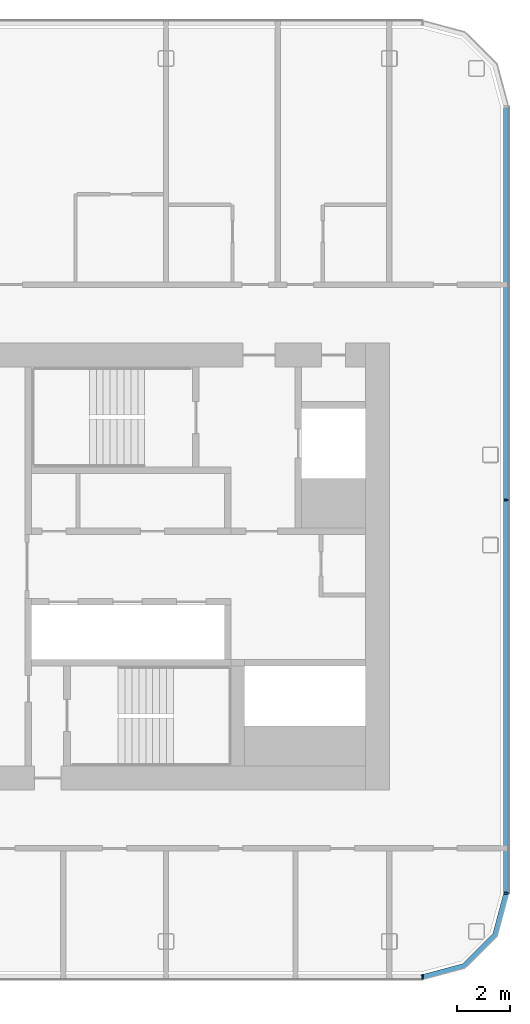
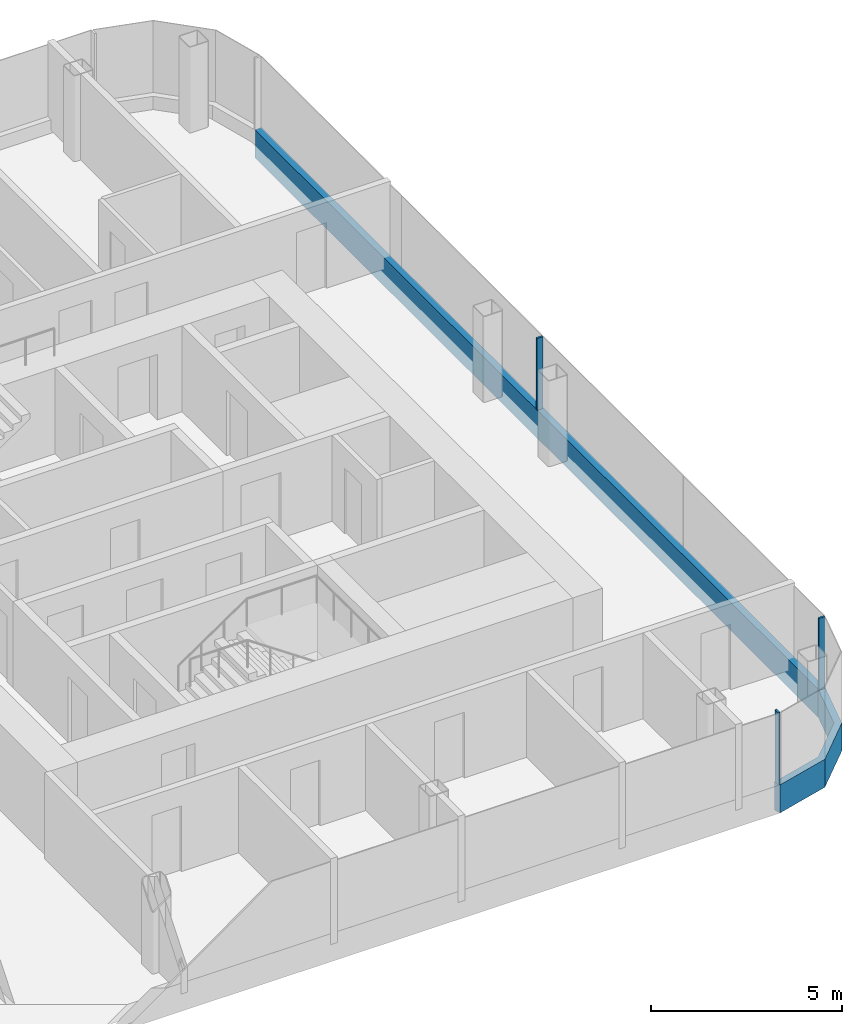
# One storey, part 10 of 26: 5 members, 3 elements without a shape of their own.
"""IFC4 building model written with IfcOpenShell, lengths in metres."""

from ifc_helpers import new_model, si_unit, direction, frame, origin, origin_2d, place, context, subcontext, project, spatial, polyline, rectangle, outline, extrude, material, layer, layer_set, material_profile, profile_set, type_object, element, aggregate, save


model = new_model("IFC4")

# Units and contexts
model_context = context("Model", 3, precision=1e-05, world=origin(), true_north=direction((0.0, 1.0)))
body_context = subcontext(model_context, "Body", "Model", "MODEL_VIEW")
ifc_project = project(units=[si_unit("LENGTHUNIT", "METRE"), si_unit("AREAUNIT", "SQUARE_METRE"), si_unit("VOLUMEUNIT", "CUBIC_METRE"), si_unit("PLANEANGLEUNIT", "RADIAN"), si_unit("MASSUNIT", "GRAM", prefix="KILO")], contexts=[model_context])

# Site, building, storey
site_placement = place(None, origin())
site = spatial("IfcSite", under=ifc_project, at=site_placement, CompositionType="ELEMENT")
building_placement = place(site_placement, origin())
building = spatial("IfcBuilding", under=site, at=building_placement, Name="Hakoniwa Tower and Hamabe Station Hall", CompositionType="ELEMENT")
storey_placement = place(building_placement, frame((0.0, 0.0, 209.0)))
storey = spatial("IfcBuildingStorey", under=building, at=storey_placement, Name="L59", CompositionType="ELEMENT", Elevation=209.0)

# Curtain wall, member
ifc_material_1 = material(Name="Dark low-e laminated glass", Category="glass")
ifc_layer = layer(ifc_material_1, 0.199951171875)
ifc_layer_set = layer_set([ifc_layer], Name="CW-1 UNITISED GUEST")
curtain_wall_type = type_object("IfcCurtainWallType", Name="CW-1 UNITISED GUEST", PredefinedType="NOTDEFINED", material=ifc_layer_set)
curtain_wall_1_placement = place(storey_placement, origin())
curtain_wall_1 = element("IfcCurtainWall", 1, at=curtain_wall_1_placement, inside=storey, type_object=curtain_wall_type, Name="CW-1 curtain wall", PredefinedType="NOTDEFINED")
ifc_material_2 = material(Name="Aluminium 6063-T5 black anodised", Category="aluminium")
ifc_material_profile_1 = material_profile(ifc_material_2, rectangle(XDim=0.199951171875, YDim=0.89990234375, at=origin_2d()), Name="CW SLAB-EDGE BAND 900X200")
ifc_profile_set_1 = profile_set([ifc_material_profile_1], Name="Aluminium 6063-T5 black anodised")
member_type_1 = type_object("IfcMemberType", Name="CW SLAB-EDGE BAND 900X200", PredefinedType="USERDEFINED", material=ifc_profile_set_1)
member_1_placement = place(storey_placement, frame((38.0, -12.28955078125, -0.10009765625), z_axis=(0.0, 1.0, 0.0), x_axis=(-1.0, 0.0, 0.0)))
member_1 = element("IfcMember", 2, at=member_1_placement, type_object=member_type_1, Name="CW-1 transom", ObjectType="TRANSOM", PredefinedType="USERDEFINED", context=body_context, shape_type="SweptSolid", body=[
    extrude(rectangle(XDim=0.199951171875, YDim=0.89990234375, at=origin_2d()), origin(), (0.0, 0.0, 1.0), 29.5791015625),
])

curtain_wall_2_placement = place(storey_placement, origin())
curtain_wall_2 = element("IfcCurtainWall", 3, at=curtain_wall_2_placement, inside=storey, type_object=curtain_wall_type, Name="CW-1 curtain wall", PredefinedType="NOTDEFINED")
member_2_placement = place(storey_placement, frame((0.0, 0.0, -0.550048828125)))
member_2 = element("IfcMember", 4, at=member_2_placement, type_object=member_type_1, Name="CW-1 transom", ObjectType="TRANSOM", PredefinedType="USERDEFINED", context=body_context, shape_type="SweptSolid", body=[
    extrude(outline(polyline([(34.839599609375, -15.550048828125), (36.455322265625, -15.116943359375), (37.6669921875, -13.9052734375), (38.10009765625, -12.28955078125), (37.90673828125, -12.23779296875), (37.48779296875, -13.8017578125), (36.351806640625, -14.937744140625), (34.787841796875, -15.35693359375), (34.839599609375, -15.550048828125)])), origin(), (0.0, 0.0, 1.0), 0.900146484375),
])
aggregate(curtain_wall_2, [member_2])

# Member
ifc_material_3 = material(Name="Aluminium 6063-T5 black anodised", Category="aluminium")
ifc_material_profile_2 = material_profile(ifc_material_3, rectangle(XDim=0.06005859375, YDim=0.179931640625, at=origin_2d()), Name="CW-1 MULLION 60X180")
ifc_profile_set_2 = profile_set([ifc_material_profile_2], Name="Aluminium 6063-T5 black anodised")
member_type_2 = type_object("IfcMemberType", Name="CW-1 MULLION 60X180", PredefinedType="MULLION", material=ifc_profile_set_2)
member_3_placement = place(storey_placement, frame((37.98193359375, -12.28955078125, 0.35009765625), z_axis=(0.0, 0.0, 1.0), x_axis=(0.0, 1.0, 0.0)))
member_3 = element("IfcMember", 5, at=member_3_placement, type_object=member_type_2, Name="CW-1 mullion", PredefinedType="MULLION", context=body_context, shape_type="SweptSolid", body=[
    extrude(rectangle(XDim=0.06005859375, YDim=0.179931640625, at=origin_2d()), origin(), (0.0, 0.0, 1.0), 2.2998046875),
])

member_4_placement = place(storey_placement, frame((37.98193359375, 2.5, 0.35009765625), z_axis=(0.0, 0.0, 1.0), x_axis=(0.0, 1.0, 0.0)))
member_4 = element("IfcMember", 6, at=member_4_placement, type_object=member_type_2, Name="CW-1 mullion", PredefinedType="MULLION", context=body_context, shape_type="SweptSolid", body=[
    extrude(rectangle(XDim=0.06005859375, YDim=0.179931640625, at=origin_2d()), origin(), (0.0, 0.0, 1.0), 2.2998046875),
])

aggregate(curtain_wall_1, [member_3, member_4, member_1])

# Curtain wall, member
curtain_wall_3_placement = place(storey_placement, origin())
curtain_wall_3 = element("IfcCurtainWall", 7, at=curtain_wall_3_placement, inside=storey, type_object=curtain_wall_type, Name="CW-1 curtain wall", PredefinedType="NOTDEFINED")
member_5_placement = place(storey_placement, frame((34.839599609375, -15.431884765625, 0.35009765625), z_axis=(0.0, 0.0, 1.0), x_axis=(1.0, 0.0, 0.0)))
member_5 = element("IfcMember", 8, at=member_5_placement, type_object=member_type_2, Name="CW-1 mullion", PredefinedType="MULLION", context=body_context, shape_type="SweptSolid", body=[
    extrude(rectangle(XDim=0.06005859375, YDim=0.179931640625, at=origin_2d()), origin(), (0.0, 0.0, 1.0), 2.2998046875),
])
aggregate(curtain_wall_3, [member_5])

save(model, "model.ifc")
